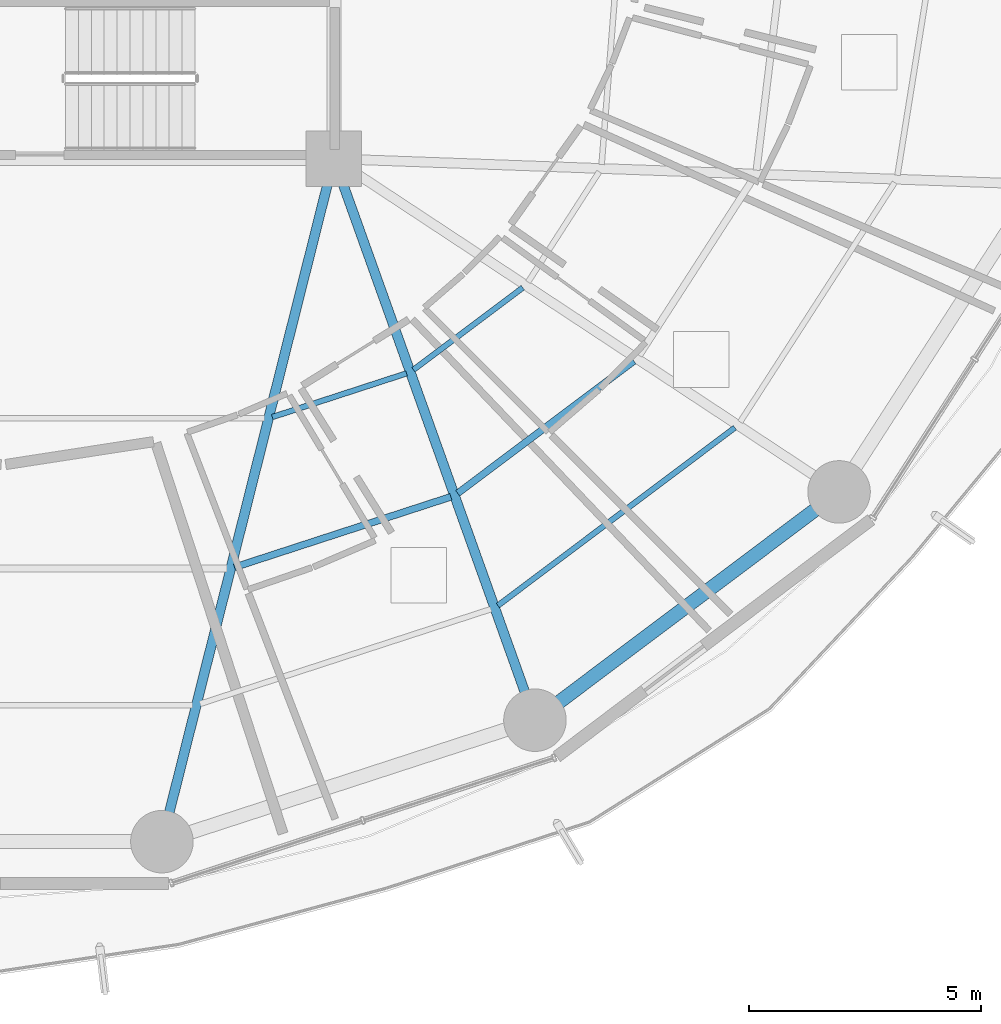
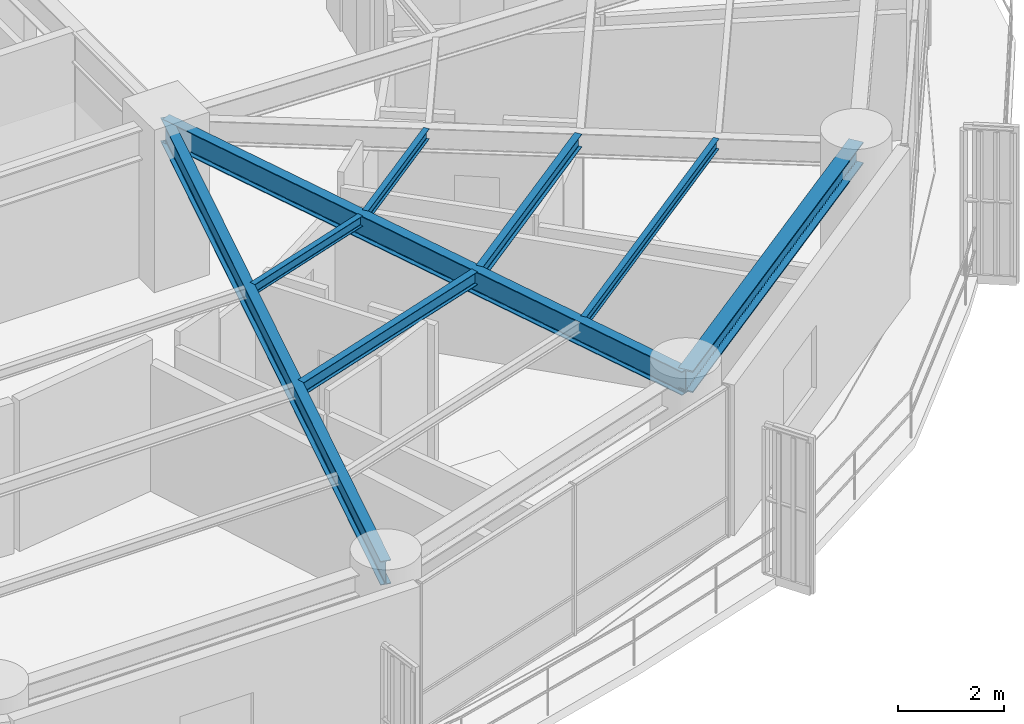
# One storey, part 11 of 37: 8 beams.
"""IFC4 building model written with IfcOpenShell, lengths in metres."""

from ifc_helpers import new_model, si_unit, direction, frame, origin, origin_2d, place, context, subcontext, project, spatial, i_section, extrude, material, material_profile, profile_set, type_object, element, save


model = new_model("IFC4")

# Units and contexts
model_context = context("Model", 3, precision=1e-05, world=origin(), true_north=direction((0.0, 1.0)))
body_context = subcontext(model_context, "Body", "Model", "MODEL_VIEW")
ifc_project = project(units=[si_unit("LENGTHUNIT", "METRE"), si_unit("AREAUNIT", "SQUARE_METRE"), si_unit("VOLUMEUNIT", "CUBIC_METRE"), si_unit("PLANEANGLEUNIT", "RADIAN"), si_unit("MASSUNIT", "GRAM", prefix="KILO")], contexts=[model_context])

# Site, building, storey
site_placement = place(None, origin())
site = spatial("IfcSite", under=ifc_project, at=site_placement, CompositionType="ELEMENT")
building_placement = place(site_placement, origin())
building = spatial("IfcBuilding", under=site, at=building_placement, Name="Kelanora Arch Commons", CompositionType="ELEMENT")
storey_placement = place(building_placement, frame((0.0, 0.0, 110.10009765625)))
storey = spatial("IfcBuildingStorey", under=building, at=storey_placement, Name="L28", CompositionType="ELEMENT", Elevation=110.10009765625)

# Beams
ifc_material = material(Name="Steel S355", Category="steel")
ifc_material_profile_1 = material_profile(ifc_material, i_section(OverallWidth=0.14990234375, OverallDepth=0.300048828125, WebThickness=0.007080078125, FlangeThickness=0.0107421875, FilletRadius=0.014892578125, at=origin_2d()), Name="IPE300")
ifc_profile_set_1 = profile_set([ifc_material_profile_1], Name="Steel S355")
beam_type_1 = type_object("IfcBeamType", Name="BM-JST-01", PredefinedType="JOIST", material=ifc_profile_set_1)
beam_1_placement = place(storey_placement, frame((79.852294921875, 42.1796875, 3.33984375), z_axis=(0.950857140254, 0.309629938521, 0.0), x_axis=(-0.309629938521, 0.950857140254, 0.0)))
element("IfcBeam", 1, at=beam_1_placement, inside=storey, type_object=beam_type_1, Name="Secondary Chord Joist BJB-28 L28", PredefinedType="JOIST", context=body_context, shape_type="SweptSolid", body=[
    extrude(i_section(OverallWidth=0.14990234375, OverallDepth=0.300048828125, WebThickness=0.007080078125, FlangeThickness=0.0107421875, FilletRadius=0.014892578125, at=origin_2d()), origin(), (0.0, 0.0, 1.0), 4.912353515625),
])
beam_2_placement = place(storey_placement, frame((84.672119140625, 43.77783203125, 3.33984375), z_axis=(0.79971039107, 0.600385951214, 0.0), x_axis=(-0.600385951214, 0.79971039107, 0.0)))
element("IfcBeam", 2, at=beam_2_placement, inside=storey, type_object=beam_type_1, Name="Secondary Chord Joist BJB-30 L28", PredefinedType="JOIST", context=body_context, shape_type="SweptSolid", body=[
    extrude(i_section(OverallWidth=0.14990234375, OverallDepth=0.300048828125, WebThickness=0.007080078125, FlangeThickness=0.0107421875, FilletRadius=0.014892578125, at=origin_2d()), origin(), (0.0, 0.0, 1.0), 4.756103515625),
])
ifc_material_profile_2 = material_profile(ifc_material, i_section(OverallWidth=0.1201171875, OverallDepth=0.239990234375, WebThickness=0.006103515625, FlangeThickness=0.009765625, FilletRadius=0.014892578125, at=origin_2d()), Name="IPE240")
ifc_profile_set_2 = profile_set([ifc_material_profile_2], Name="Steel S355")
beam_type_2 = type_object("IfcBeamType", Name="BM-JST-02", PredefinedType="JOIST", material=ifc_profile_set_2)
beam_3_placement = place(storey_placement, frame((80.66943359375, 45.42333984375, 3.369873046875), z_axis=(0.950846758946, 0.309661817151, 0.0), x_axis=(-0.309661817151, 0.950846758946, 0.0)))
element("IfcBeam", 3, at=beam_3_placement, inside=storey, type_object=beam_type_2, Name="Secondary Chord Joist BJA-28 L28", PredefinedType="JOIST", context=body_context, shape_type="SweptSolid", body=[
    extrude(i_section(OverallWidth=0.1201171875, OverallDepth=0.239990234375, WebThickness=0.006103515625, FlangeThickness=0.009765625, FilletRadius=0.014892578125, at=origin_2d()), origin(), (0.0, 0.0, 1.0), 3.048828125),
])
beam_4_placement = place(storey_placement, frame((83.71728515625, 46.444580078125, 3.369873046875), z_axis=(0.799692034361, 0.600410401458, 0.0), x_axis=(-0.600410401458, 0.799692034361, 0.0)))
element("IfcBeam", 4, at=beam_4_placement, inside=storey, type_object=beam_type_2, Name="Secondary Chord Joist BJA-30 L28", PredefinedType="JOIST", context=body_context, shape_type="SweptSolid", body=[
    extrude(i_section(OverallWidth=0.1201171875, OverallDepth=0.239990234375, WebThickness=0.006103515625, FlangeThickness=0.009765625, FilletRadius=0.014892578125, at=origin_2d()), origin(), (0.0, 0.0, 1.0), 2.949951171875),
])
beam_5_placement = place(storey_placement, frame((85.5400390625, 41.353515625, 3.369873046875), z_axis=(0.799734335646, 0.600354055861, 0.0), x_axis=(-0.600354055861, 0.799734335646, 0.0)))
element("IfcBeam", 5, at=beam_5_placement, inside=storey, type_object=beam_type_2, Name="Secondary Chord Joist BJC-30 L28", PredefinedType="JOIST", context=body_context, shape_type="SweptSolid", body=[
    extrude(i_section(OverallWidth=0.1201171875, OverallDepth=0.239990234375, WebThickness=0.006103515625, FlangeThickness=0.009765625, FilletRadius=0.014892578125, at=origin_2d()), origin(), (0.0, 0.0, 1.0), 6.39794921875),
])
ifc_material_profile_3 = material_profile(ifc_material, i_section(OverallWidth=0.2099609375, OverallDepth=0.550048828125, WebThickness=0.010986328125, FlangeThickness=0.01708984375, FilletRadius=0.02392578125, at=origin_2d()), Name="IPE550")
ifc_profile_set_3 = profile_set([ifc_material_profile_3], Name="Steel S355")
beam_type_3 = type_object("IfcBeamType", Name="BM-RAD-Z2", PredefinedType="BEAM", material=ifc_profile_set_3)
beam_6_placement = place(storey_placement, frame((82.0, 51.0, 3.21484375), z_axis=(-0.244280647475, -0.969704576286, 0.0), x_axis=(0.969704576286, -0.244280647475, 0.0)))
element("IfcBeam", 6, at=beam_6_placement, inside=storey, type_object=beam_type_3, Name="Radial Floor Girder BR-28 L28", PredefinedType="BEAM", context=body_context, shape_type="SweptSolid", body=[
    extrude(i_section(OverallWidth=0.2099609375, OverallDepth=0.550048828125, WebThickness=0.010986328125, FlangeThickness=0.01708984375, FilletRadius=0.02392578125, at=origin_2d()), origin(), (0.0, 0.0, 1.0), 15.205322265625),
])
beam_7_placement = place(storey_placement, frame((82.0, 51.0, 3.21484375), z_axis=(0.337084640008, -0.941474346687, 0.0), x_axis=(0.941474346687, 0.337084640008, 0.0)))
element("IfcBeam", 7, at=beam_7_placement, inside=storey, type_object=beam_type_3, Name="Radial Floor Girder BR-30 L28", PredefinedType="BEAM", context=body_context, shape_type="SweptSolid", body=[
    extrude(i_section(OverallWidth=0.2099609375, OverallDepth=0.550048828125, WebThickness=0.010986328125, FlangeThickness=0.01708984375, FilletRadius=0.02392578125, at=origin_2d()), origin(), (0.0, 0.0, 1.0), 12.875244140625),
])
ifc_material_profile_4 = material_profile(ifc_material, i_section(OverallWidth=0.300048828125, OverallDepth=0.5, WebThickness=0.014404296875, FlangeThickness=0.028076171875, FilletRadius=0.027099609375, at=origin_2d()), Name="HEB500")
ifc_profile_set_4 = profile_set([ifc_material_profile_4], Name="Steel S355")
beam_type_4 = type_object("IfcBeamType", Name="BM-SPN-Z2", PredefinedType="SPANDREL", material=ifc_profile_set_4)
beam_8_placement = place(storey_placement, frame((86.340087890625, 38.878173828125, 3.239990234375), z_axis=(0.799735861602, 0.600352023123, 0.0), x_axis=(-0.600352023123, 0.799735861602, 0.0)))
element("IfcBeam", 8, at=beam_8_placement, inside=storey, type_object=beam_type_4, Name="Perimeter Spandrel Beam BS-30 L28", PredefinedType="SPANDREL", context=body_context, shape_type="SweptSolid", body=[
    extrude(i_section(OverallWidth=0.300048828125, OverallDepth=0.5, WebThickness=0.014404296875, FlangeThickness=0.028076171875, FilletRadius=0.027099609375, at=origin_2d()), origin(), (0.0, 0.0, 1.0), 8.210205078125),
])

save(model, "model.ifc")
